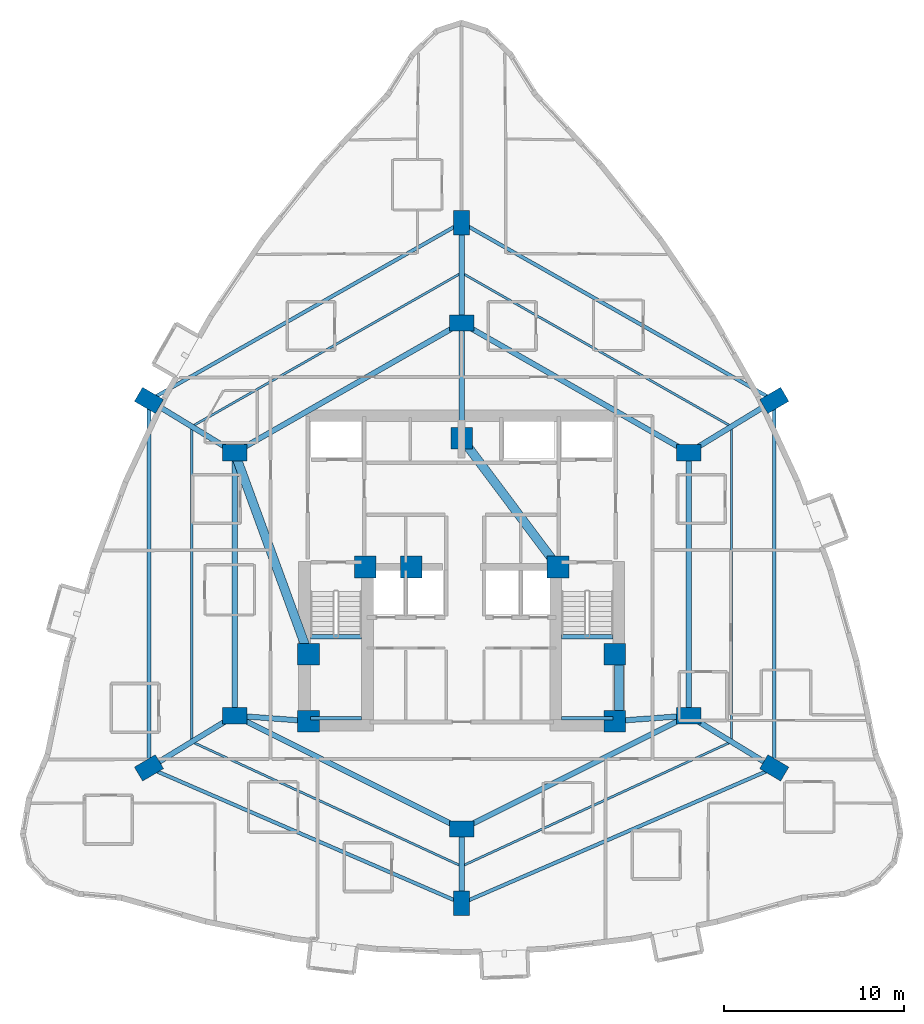
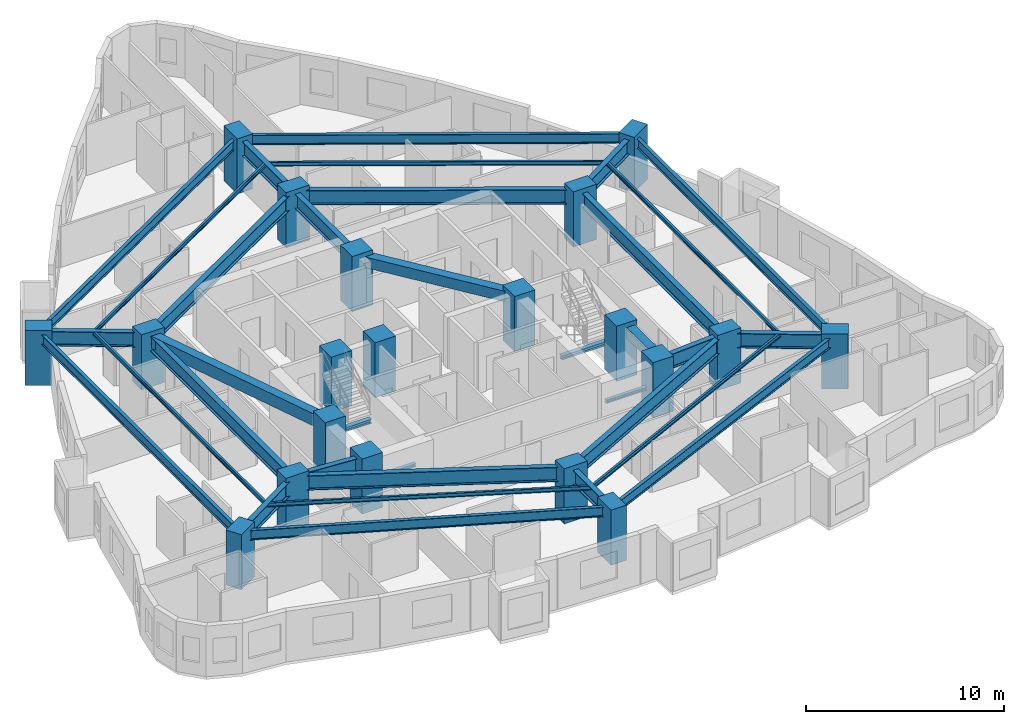
# One storey, part 1 of 13: 34 beams, 20 columns.
"""IFC4 building model written with IfcOpenShell, lengths in metres."""

from ifc_helpers import new_model, si_unit, direction, frame, origin, origin_2d, place, context, subcontext, project, spatial, rectangle, i_section, extrude, material, material_profile, profile_set, type_object, element, save


model = new_model("IFC4")

# Units and contexts
model_context = context("Model", 3, precision=1e-05, world=origin(), true_north=direction((0.0, 1.0)))
body_context = subcontext(model_context, "Body", "Model", "MODEL_VIEW")
ifc_project = project(units=[si_unit("LENGTHUNIT", "METRE"), si_unit("AREAUNIT", "SQUARE_METRE"), si_unit("VOLUMEUNIT", "CUBIC_METRE"), si_unit("PLANEANGLEUNIT", "RADIAN"), si_unit("MASSUNIT", "GRAM", prefix="KILO")], contexts=[model_context])

# Site, building, storey
site_placement = place(None, origin())
site = spatial("IfcSite", under=ifc_project, at=site_placement, CompositionType="ELEMENT")
building_placement = place(site_placement, origin())
building = spatial("IfcBuilding", under=site, at=building_placement, Name="Miruveldt Soraemaru", CompositionType="ELEMENT")
storey_placement = place(building_placement, frame((0.0, 0.0, 70.0)))
storey = spatial("IfcBuildingStorey", under=building, at=storey_placement, Name="L19", CompositionType="ELEMENT", Elevation=70.0)

# Columns
ifc_material_1 = material(Name="Concrete C70/85 (70 MPa)", Category="concrete")
ifc_material_profile_1 = material_profile(ifc_material_1, rectangle(XDim=1.199951171875, YDim=1.199951171875, at=origin_2d()), Name="Concrete C70/85 (70 MPa)", Category="concrete")
ifc_profile_set_1 = profile_set([ifc_material_profile_1], Name="Concrete C70/85 (70 MPa)")
column_type_1 = type_object("IfcColumnType", Name="COL-CORE-1200", PredefinedType="COLUMN", material=ifc_profile_set_1)
for number, where, z_axis, x_axis, name in (
    (1, (35.5, 35.5, 0.0), (0.0, 0.0, 1.0), (1.0, 0.0, 0.0), "L19 Structural Column CC1"),
    (2, (38.64990234375, 44.050048828125, 0.0), (0.0, 0.0, 1.0), (1.0, 0.0, 0.0), "L19 Structural Column CC2"),
    (3, (52.5, 35.5, 0.0), (0.0, 0.0, 1.0), (1.0, 0.0, 0.0), "L19 Structural Column CC3"),
    (4, (52.5, 39.199951171875, 0.0), (0.0, 0.0, 1.0), (1.0, 0.0, 0.0), "L19 Structural Column CC4"),
    (5, (49.35009765625, 44.050048828125, 0.0), (0.0, 0.0, 1.0), (1.0, 0.0, 0.0), "L19 Structural Column CC5"),
    (6, (44.0, 51.199951171875, 0.0), (0.0, 0.0, 1.0), (1.0, 0.0, 0.0), "L19 Structural Column CC6"),
    (7, (35.5, 39.199951171875, 0.0), (0.0, 0.0, 1.0), (1.0, 0.0, 0.0), "L19 Structural Column CC7"),
    (8, (41.199951171875, 44.050048828125, 0.0), (0.0, 0.0, 1.0), (1.0, 0.0, 0.0), "L19 Structural Column CC8"),
):
    element("IfcColumn", number, at=place(storey_placement, frame(where, z_axis=z_axis, x_axis=x_axis)), inside=storey, type_object=column_type_1, Name=name, PredefinedType="COLUMN", context=body_context, shape_type="SweptSolid", body=[
        extrude(rectangle(XDim=1.199951171875, YDim=1.199951171875, at=origin_2d()), origin(), (0.0, 0.0, 1.0), 3.39990234375),
    ])
ifc_material_profile_2 = material_profile(ifc_material_1, rectangle(XDim=1.35009765625, YDim=0.89990234375, at=origin_2d()), Name="Concrete C70/85 (70 MPa)", Category="concrete")
ifc_profile_set_2 = profile_set([ifc_material_profile_2], Name="Concrete C70/85 (70 MPa)")
column_type_2 = type_object("IfcColumnType", Name="COL-TW-Z1B", PredefinedType="COLUMN", material=ifc_profile_set_2)
for number, where, z_axis, x_axis, name in (
    (9, (44.0, 57.60009765625, 0.0), (0.0, 0.0, 1.0), (1.0, 0.0, 0.0), "L19 Structural Column IR01"),
    (10, (56.60009765625, 50.39990234375, 0.0), (0.0, 0.0, 1.0), (1.0, 0.0, 0.0), "L19 Structural Column IR02"),
    (11, (56.60009765625, 35.800048828125, 0.0), (0.0, 0.0, 1.0), (1.0, 0.0, 0.0), "L19 Structural Column IR03"),
    (12, (44.0, 29.5, 0.0), (0.0, 0.0, 1.0), (1.0, 0.0, 0.0), "L19 Structural Column IR04"),
    (13, (31.39990234375, 35.800048828125, 0.0), (0.0, 0.0, 1.0), (1.0, 0.0, 0.0), "L19 Structural Column IR05"),
    (14, (31.39990234375, 50.39990234375, 0.0), (0.0, 0.0, 1.0), (1.0, 0.0, 0.0), "L19 Structural Column IR06"),
    (15, (44.0, 63.16796875, 0.0), (0.0, 0.0, 1.0), (0.0, 1.0, 0.0), "L19 Structural Column Z1P01"),
    (16, (61.35595703125, 53.300048828125, 0.0), (0.0, 0.0, 1.0), (0.864274801954, 0.50301994663, 0.0), "L19 Structural Column Z1P02"),
    (17, (61.35595703125, 32.89990234375, 0.0), (0.0, 0.0, 1.0), (-0.859852271597, 0.510542917912, 0.0), "L19 Structural Column Z1P03"),
    (18, (44.0, 25.382080078125, 0.0), (0.0, 0.0, 1.0), (0.0, 1.0, 0.0), "L19 Structural Column Z1P04"),
    (19, (26.64404296875, 32.89990234375, 0.0), (0.0, 0.0, 1.0), (0.859852271597, 0.510542917912, 0.0), "L19 Structural Column Z1P05"),
    (20, (26.64404296875, 53.300048828125, 0.0), (0.0, 0.0, 1.0), (-0.864274801954, 0.50301994663, 0.0), "L19 Structural Column Z1P06"),
):
    element("IfcColumn", number, at=place(storey_placement, frame(where, z_axis=z_axis, x_axis=x_axis)), inside=storey, type_object=column_type_2, Name=name, PredefinedType="COLUMN", context=body_context, shape_type="SweptSolid", body=[
        extrude(rectangle(XDim=1.35009765625, YDim=0.89990234375, at=origin_2d()), origin(), (0.0, 0.0, 1.0), 3.39990234375),
    ])

# Beams
ifc_material_2 = material(Name="Concrete C50/60 (50 MPa)", Category="concrete")
ifc_material_profile_3 = material_profile(ifc_material_2, rectangle(XDim=0.5, YDim=0.64990234375, at=origin_2d()), Name="Concrete C50/60 (50 MPa)", Category="concrete")
ifc_profile_set_3 = profile_set([ifc_material_profile_3], Name="Concrete C50/60 (50 MPa)")
beam_type_1 = type_object("IfcBeamType", Name="BM-RC-500x650", PredefinedType="BEAM", material=ifc_profile_set_3)
beam_1_placement = place(storey_placement, frame((52.72998046875, 35.5, 2.800048828125), z_axis=(0.0, 1.0, 0.0), x_axis=(-1.0, 0.0, 0.0)))
element("IfcBeam", 21, at=beam_1_placement, inside=storey, type_object=beam_type_1, Name="L19 Core Tie Beam 3", PredefinedType="BEAM", context=body_context, shape_type="SweptSolid", body=[
    extrude(rectangle(XDim=0.5, YDim=0.64990234375, at=origin_2d()), origin(), (0.0, 0.0, 1.0), 3.699951171875),
])
beam_2_placement = place(storey_placement, frame((49.35009765625, 44.050048828125, 2.800048828125), z_axis=(-0.599116023999, 0.800662219533, 0.0), x_axis=(-0.800662219533, -0.599116023999, 0.0)))
element("IfcBeam", 22, at=beam_2_placement, inside=storey, type_object=beam_type_1, Name="L19 Core Tie Beam 5", PredefinedType="BEAM", context=body_context, shape_type="SweptSolid", body=[
    extrude(rectangle(XDim=0.5, YDim=0.64990234375, at=origin_2d()), origin(), (0.0, 0.0, 1.0), 8.929931640625),
])
ifc_material_3 = material(Name="Concrete C40/50 (40 MPa)", Category="concrete")
ifc_material_profile_4 = material_profile(ifc_material_3, rectangle(XDim=0.5, YDim=0.75, at=origin_2d()), Name="Concrete C40/50 (40 MPa)", Category="concrete")
ifc_profile_set_4 = profile_set([ifc_material_profile_4], Name="Concrete C40/50 (40 MPa)")
beam_type_2 = type_object("IfcBeamType", Name="BM-RC-500x750", PredefinedType="LINTEL", material=ifc_profile_set_4)
beam_3_placement = place(storey_placement, frame((31.39990234375, 50.39990234375, 2.75), z_axis=(0.343770424598, -0.939053723262, 0.0), x_axis=(0.939053723262, 0.343770424598, 0.0)))
element("IfcBeam", 23, at=beam_3_placement, inside=storey, type_object=beam_type_2, Name="L19 West Lobby Lintel", PredefinedType="LINTEL", context=body_context, shape_type="SweptSolid", body=[
    extrude(rectangle(XDim=0.5, YDim=0.75, at=origin_2d()), origin(), (0.0, 0.0, 1.0), 11.9267578125),
])
ifc_material_4 = material(Name="Steel SM355 (355 MPa)", Category="steel")
ifc_material_profile_5 = material_profile(ifc_material_4, i_section(OverallWidth=0.125, OverallDepth=0.25, WebThickness=0.006103515625, FlangeThickness=0.009033203125, FilletRadius=0.011962890625, at=origin_2d()), Name="Steel SM355 (355 MPa)", Category="steel")
ifc_profile_set_5 = profile_set([ifc_material_profile_5], Name="Steel SM355 (355 MPa)")
beam_type_3 = type_object("IfcBeamType", Name="BM-ST-H250", PredefinedType="JOIST", material=ifc_profile_set_5)
beam_4_placement = place(storey_placement, frame((44.0, 60.384033203125, 3.0), z_axis=(0.868865604585, -0.495048039254, 0.0), x_axis=(0.495048039254, 0.868865604585, 0.0)))
element("IfcBeam", 24, at=beam_4_placement, inside=storey, type_object=beam_type_3, Name="L19 Outer Bay Floor Joist 1", PredefinedType="JOIST", context=body_context, shape_type="SweptSolid", body=[
    extrude(i_section(OverallWidth=0.125, OverallDepth=0.25, WebThickness=0.006103515625, FlangeThickness=0.009033203125, FilletRadius=0.011962890625, at=origin_2d()), origin(), (0.0, 0.0, 1.0), 17.238525390625),
])
beam_5_placement = place(storey_placement, frame((58.97802734375, 51.85009765625, 3.0), z_axis=(0.0, -1.0, 0.0), x_axis=(1.0, 0.0, 0.0)))
element("IfcBeam", 25, at=beam_5_placement, inside=storey, type_object=beam_type_3, Name="L19 Outer Bay Floor Joist 2", PredefinedType="JOIST", context=body_context, shape_type="SweptSolid", body=[
    extrude(i_section(OverallWidth=0.125, OverallDepth=0.25, WebThickness=0.006103515625, FlangeThickness=0.009033203125, FilletRadius=0.011962890625, at=origin_2d()), origin(), (0.0, 0.0, 1.0), 17.5),
])
for number, where, z_axis, x_axis, name in (
    (26, (58.97802734375, 34.35009765625, 3.0), (-0.908046005539, -0.418870447543, 0.0), (0.418870447543, -0.908046005539, 0.0), "L19 Outer Bay Floor Joist 3"),
    (27, (44.0, 27.44091796875, 3.0), (-0.908046005539, 0.418870447543, 0.0), (-0.418870447543, -0.908046005539, 0.0), "L19 Outer Bay Floor Joist 4"),
):
    element("IfcBeam", number, at=place(storey_placement, frame(where, z_axis=z_axis, x_axis=x_axis)), inside=storey, type_object=beam_type_3, Name=name, PredefinedType="JOIST", context=body_context, shape_type="SweptSolid", body=[
        extrude(i_section(OverallWidth=0.125, OverallDepth=0.25, WebThickness=0.006103515625, FlangeThickness=0.009033203125, FilletRadius=0.011962890625, at=origin_2d()), origin(), (0.0, 0.0, 1.0), 16.494873046875),
    ])
beam_6_placement = place(storey_placement, frame((29.02197265625, 34.35009765625, 3.0), z_axis=(0.0, 1.0, 0.0), x_axis=(-1.0, 0.0, 0.0)))
element("IfcBeam", 28, at=beam_6_placement, inside=storey, type_object=beam_type_3, Name="L19 Outer Bay Floor Joist 5", PredefinedType="JOIST", context=body_context, shape_type="SweptSolid", body=[
    extrude(i_section(OverallWidth=0.125, OverallDepth=0.25, WebThickness=0.006103515625, FlangeThickness=0.009033203125, FilletRadius=0.011962890625, at=origin_2d()), origin(), (0.0, 0.0, 1.0), 17.5),
])
beam_7_placement = place(storey_placement, frame((29.02197265625, 51.85009765625, 3.0), z_axis=(0.868865604585, 0.495048039254, 0.0), x_axis=(-0.495048039254, 0.868865604585, 0.0)))
element("IfcBeam", 29, at=beam_7_placement, inside=storey, type_object=beam_type_3, Name="L19 Outer Bay Floor Joist 6", PredefinedType="JOIST", context=body_context, shape_type="SweptSolid", body=[
    extrude(i_section(OverallWidth=0.125, OverallDepth=0.25, WebThickness=0.006103515625, FlangeThickness=0.009033203125, FilletRadius=0.011962890625, at=origin_2d()), origin(), (0.0, 0.0, 1.0), 17.238525390625),
])
ifc_material_profile_6 = material_profile(ifc_material_4, i_section(OverallWidth=0.199951171875, OverallDepth=0.60009765625, WebThickness=0.010986328125, FlangeThickness=0.01708984375, FilletRadius=0.02197265625, at=origin_2d()), Name="Steel SM355 (355 MPa)", Category="steel")
ifc_profile_set_6 = profile_set([ifc_material_profile_6], Name="Steel SM355 (355 MPa)")
beam_type_4 = type_object("IfcBeamType", Name="BM-ST-H600", PredefinedType="SPANDREL", material=ifc_profile_set_6)
beam_8_placement = place(storey_placement, frame((44.0, 63.16796875, 2.824951171875), z_axis=(0.869314947608, -0.494258557706, 0.0), x_axis=(0.494258557706, 0.869314947608, 0.0)))
element("IfcBeam", 30, at=beam_8_placement, inside=storey, type_object=beam_type_4, Name="L19 Zone-1 Spandrel Beam 1", PredefinedType="SPANDREL", context=body_context, shape_type="SweptSolid", body=[
    extrude(i_section(OverallWidth=0.199951171875, OverallDepth=0.60009765625, WebThickness=0.010986328125, FlangeThickness=0.01708984375, FilletRadius=0.02197265625, at=origin_2d()), origin(), (0.0, 0.0, 1.0), 19.965087890625),
])
beam_9_placement = place(storey_placement, frame((61.35595703125, 53.300048828125, 2.824951171875), z_axis=(0.0, -1.0, 0.0), x_axis=(1.0, 0.0, 0.0)))
element("IfcBeam", 31, at=beam_9_placement, inside=storey, type_object=beam_type_4, Name="L19 Zone-1 Spandrel Beam 2", PredefinedType="SPANDREL", context=body_context, shape_type="SweptSolid", body=[
    extrude(i_section(OverallWidth=0.199951171875, OverallDepth=0.60009765625, WebThickness=0.010986328125, FlangeThickness=0.01708984375, FilletRadius=0.02197265625, at=origin_2d()), origin(), (0.0, 0.0, 1.0), 20.400146484375),
])
for number, where, z_axis, x_axis, name in (
    (32, (61.35595703125, 32.89990234375, 2.824951171875), (-0.917615263736, -0.397469782195, 0.0), (0.397469782195, -0.917615263736, 0.0), "L19 Zone-1 Spandrel Beam 3"),
    (33, (44.0, 25.382080078125, 2.824951171875), (-0.917615263736, 0.397469782195, 0.0), (-0.397469782195, -0.917615263736, 0.0), "L19 Zone-1 Spandrel Beam 4"),
):
    element("IfcBeam", number, at=place(storey_placement, frame(where, z_axis=z_axis, x_axis=x_axis)), inside=storey, type_object=beam_type_4, Name=name, PredefinedType="SPANDREL", context=body_context, shape_type="SweptSolid", body=[
        extrude(i_section(OverallWidth=0.199951171875, OverallDepth=0.60009765625, WebThickness=0.010986328125, FlangeThickness=0.01708984375, FilletRadius=0.02197265625, at=origin_2d()), origin(), (0.0, 0.0, 1.0), 18.914306640625),
    ])
beam_10_placement = place(storey_placement, frame((26.64404296875, 32.89990234375, 2.824951171875), z_axis=(0.0, 1.0, 0.0), x_axis=(-1.0, 0.0, 0.0)))
element("IfcBeam", 34, at=beam_10_placement, inside=storey, type_object=beam_type_4, Name="L19 Zone-1 Spandrel Beam 5", PredefinedType="SPANDREL", context=body_context, shape_type="SweptSolid", body=[
    extrude(i_section(OverallWidth=0.199951171875, OverallDepth=0.60009765625, WebThickness=0.010986328125, FlangeThickness=0.01708984375, FilletRadius=0.02197265625, at=origin_2d()), origin(), (0.0, 0.0, 1.0), 20.400146484375),
])
beam_11_placement = place(storey_placement, frame((26.64404296875, 53.300048828125, 2.824951171875), z_axis=(0.869314947608, 0.494258557706, 0.0), x_axis=(-0.494258557706, 0.869314947608, 0.0)))
element("IfcBeam", 35, at=beam_11_placement, inside=storey, type_object=beam_type_4, Name="L19 Zone-1 Spandrel Beam 6", PredefinedType="SPANDREL", context=body_context, shape_type="SweptSolid", body=[
    extrude(i_section(OverallWidth=0.199951171875, OverallDepth=0.60009765625, WebThickness=0.010986328125, FlangeThickness=0.01708984375, FilletRadius=0.02197265625, at=origin_2d()), origin(), (0.0, 0.0, 1.0), 19.965087890625),
])
ifc_material_5 = material(Name="Steel S460 (460 MPa)", Category="steel")
ifc_material_profile_7 = material_profile(ifc_material_5, i_section(OverallWidth=0.300048828125, OverallDepth=0.89990234375, WebThickness=0.01611328125, FlangeThickness=0.028076171875, FilletRadius=0.028076171875, at=origin_2d()), Name="Steel S460 (460 MPa)", Category="steel")
ifc_profile_set_7 = profile_set([ifc_material_profile_7], Name="Steel S460 (460 MPa)")
beam_type_5 = type_object("IfcBeamType", Name="BM-ST-H900", PredefinedType="BEAM", material=ifc_profile_set_7)
beam_12_placement = place(storey_placement, frame((44.0, 57.60009765625, 2.675048828125), z_axis=(0.868239001029, -0.496146185203, 0.0), x_axis=(0.496146185203, 0.868239001029, 0.0)))
element("IfcBeam", 36, at=beam_12_placement, inside=storey, type_object=beam_type_5, Name="L19 Inner Ring Girder 1", PredefinedType="BEAM", context=body_context, shape_type="SweptSolid", body=[
    extrude(i_section(OverallWidth=0.300048828125, OverallDepth=0.89990234375, WebThickness=0.01611328125, FlangeThickness=0.028076171875, FilletRadius=0.028076171875, at=origin_2d()), origin(), (0.0, 0.0, 1.0), 14.51220703125),
])
beam_13_placement = place(storey_placement, frame((44.0, 51.199951171875, 2.675048828125), z_axis=(0.0, 1.0, 0.0), x_axis=(-1.0, 0.0, 0.0)))
element("IfcBeam", 37, at=beam_13_placement, inside=storey, type_object=beam_type_5, Name="L19 Core-to-Inner Radial Girder 1", PredefinedType="BEAM", context=body_context, shape_type="SweptSolid", body=[
    extrude(i_section(OverallWidth=0.300048828125, OverallDepth=0.89990234375, WebThickness=0.01611328125, FlangeThickness=0.028076171875, FilletRadius=0.028076171875, at=origin_2d()), origin(), (0.0, 0.0, 1.0), 6.400146484375),
])
beam_14_placement = place(storey_placement, frame((56.60009765625, 50.39990234375, 2.675048828125), z_axis=(0.0, -1.0, 0.0), x_axis=(1.0, 0.0, 0.0)))
element("IfcBeam", 38, at=beam_14_placement, inside=storey, type_object=beam_type_5, Name="L19 Inner Ring Girder 2", PredefinedType="BEAM", context=body_context, shape_type="SweptSolid", body=[
    extrude(i_section(OverallWidth=0.300048828125, OverallDepth=0.89990234375, WebThickness=0.01611328125, FlangeThickness=0.028076171875, FilletRadius=0.028076171875, at=origin_2d()), origin(), (0.0, 0.0, 1.0), 14.599853515625),
])
beam_15_placement = place(storey_placement, frame((56.60009765625, 35.800048828125, 2.675048828125), z_axis=(-0.894427191, -0.4472135955, 0.0), x_axis=(0.4472135955, -0.894427191, 0.0)))
element("IfcBeam", 39, at=beam_15_placement, inside=storey, type_object=beam_type_5, Name="L19 Inner Ring Girder 3", PredefinedType="BEAM", context=body_context, shape_type="SweptSolid", body=[
    extrude(i_section(OverallWidth=0.300048828125, OverallDepth=0.89990234375, WebThickness=0.01611328125, FlangeThickness=0.028076171875, FilletRadius=0.028076171875, at=origin_2d()), origin(), (0.0, 0.0, 1.0), 14.08740234375),
])
beam_16_placement = place(storey_placement, frame((52.5, 35.5, 2.675048828125), z_axis=(0.997332985605, 0.072985723431, 0.0), x_axis=(-0.072985723431, 0.997332985605, 0.0)))
element("IfcBeam", 40, at=beam_16_placement, inside=storey, type_object=beam_type_5, Name="L19 Core-to-Inner Radial Girder 3", PredefinedType="BEAM", context=body_context, shape_type="SweptSolid", body=[
    extrude(i_section(OverallWidth=0.300048828125, OverallDepth=0.89990234375, WebThickness=0.01611328125, FlangeThickness=0.028076171875, FilletRadius=0.028076171875, at=origin_2d()), origin(), (0.0, 0.0, 1.0), 4.111083984375),
])
beam_17_placement = place(storey_placement, frame((44.0, 29.5, 2.675048828125), z_axis=(-0.894427191, 0.4472135955, 0.0), x_axis=(-0.4472135955, -0.894427191, 0.0)))
element("IfcBeam", 41, at=beam_17_placement, inside=storey, type_object=beam_type_5, Name="L19 Inner Ring Girder 4", PredefinedType="BEAM", context=body_context, shape_type="SweptSolid", body=[
    extrude(i_section(OverallWidth=0.300048828125, OverallDepth=0.89990234375, WebThickness=0.01611328125, FlangeThickness=0.028076171875, FilletRadius=0.028076171875, at=origin_2d()), origin(), (0.0, 0.0, 1.0), 14.08740234375),
])
beam_18_placement = place(storey_placement, frame((31.39990234375, 35.800048828125, 2.675048828125), z_axis=(0.0, 1.0, 0.0), x_axis=(-1.0, 0.0, 0.0)))
element("IfcBeam", 42, at=beam_18_placement, inside=storey, type_object=beam_type_5, Name="L19 Inner Ring Girder 5", PredefinedType="BEAM", context=body_context, shape_type="SweptSolid", body=[
    extrude(i_section(OverallWidth=0.300048828125, OverallDepth=0.89990234375, WebThickness=0.01611328125, FlangeThickness=0.028076171875, FilletRadius=0.028076171875, at=origin_2d()), origin(), (0.0, 0.0, 1.0), 14.599853515625),
])
beam_19_placement = place(storey_placement, frame((35.5, 35.5, 2.675048828125), z_axis=(-0.997332985605, 0.072985723431, 0.0), x_axis=(-0.072985723431, -0.997332985605, 0.0)))
element("IfcBeam", 43, at=beam_19_placement, inside=storey, type_object=beam_type_5, Name="L19 Core-to-Inner Radial Girder 5", PredefinedType="BEAM", context=body_context, shape_type="SweptSolid", body=[
    extrude(i_section(OverallWidth=0.300048828125, OverallDepth=0.89990234375, WebThickness=0.01611328125, FlangeThickness=0.028076171875, FilletRadius=0.028076171875, at=origin_2d()), origin(), (0.0, 0.0, 1.0), 4.111083984375),
])
beam_20_placement = place(storey_placement, frame((31.39990234375, 50.39990234375, 2.675048828125), z_axis=(0.868239001029, 0.496146185203, 0.0), x_axis=(-0.496146185203, 0.868239001029, 0.0)))
element("IfcBeam", 44, at=beam_20_placement, inside=storey, type_object=beam_type_5, Name="L19 Inner Ring Girder 6", PredefinedType="BEAM", context=body_context, shape_type="SweptSolid", body=[
    extrude(i_section(OverallWidth=0.300048828125, OverallDepth=0.89990234375, WebThickness=0.01611328125, FlangeThickness=0.028076171875, FilletRadius=0.028076171875, at=origin_2d()), origin(), (0.0, 0.0, 1.0), 14.51220703125),
])
beam_21_placement = place(storey_placement, frame((44.0, 57.60009765625, 2.675048828125), z_axis=(0.0, 1.0, 0.0), x_axis=(-1.0, 0.0, 0.0)))
element("IfcBeam", 45, at=beam_21_placement, inside=storey, type_object=beam_type_5, Name="L19 Zone-1 Radial Girder 1", PredefinedType="BEAM", context=body_context, shape_type="SweptSolid", body=[
    extrude(i_section(OverallWidth=0.300048828125, OverallDepth=0.89990234375, WebThickness=0.01611328125, FlangeThickness=0.028076171875, FilletRadius=0.028076171875, at=origin_2d()), origin(), (0.0, 0.0, 1.0), 5.56787109375),
])
for number, where, z_axis, x_axis, name in (
    (46, (56.60009765625, 50.39990234375, 2.675048828125), (0.853777644156, 0.520637814935, 0.0), (-0.520637814935, 0.853777644156, 0.0), "L19 Zone-1 Radial Girder 2"),
    (47, (56.60009765625, 35.800048828125, 2.675048828125), (0.853777644156, -0.520637814935, 0.0), (0.520637814935, 0.853777644156, 0.0), "L19 Zone-1 Radial Girder 3"),
):
    element("IfcBeam", number, at=place(storey_placement, frame(where, z_axis=z_axis, x_axis=x_axis)), inside=storey, type_object=beam_type_5, Name=name, PredefinedType="BEAM", context=body_context, shape_type="SweptSolid", body=[
        extrude(i_section(OverallWidth=0.300048828125, OverallDepth=0.89990234375, WebThickness=0.01611328125, FlangeThickness=0.028076171875, FilletRadius=0.028076171875, at=origin_2d()), origin(), (0.0, 0.0, 1.0), 5.5703125),
    ])
beam_22_placement = place(storey_placement, frame((44.0, 29.5, 2.675048828125), z_axis=(0.0, -1.0, 0.0), x_axis=(1.0, 0.0, 0.0)))
element("IfcBeam", 48, at=beam_22_placement, inside=storey, type_object=beam_type_5, Name="L19 Zone-1 Radial Girder 4", PredefinedType="BEAM", context=body_context, shape_type="SweptSolid", body=[
    extrude(i_section(OverallWidth=0.300048828125, OverallDepth=0.89990234375, WebThickness=0.01611328125, FlangeThickness=0.028076171875, FilletRadius=0.028076171875, at=origin_2d()), origin(), (0.0, 0.0, 1.0), 4.117919921875),
])
for number, where, z_axis, x_axis, name in (
    (49, (31.39990234375, 35.800048828125, 2.675048828125), (-0.853777644156, -0.520637814935, 0.0), (0.520637814935, -0.853777644156, 0.0), "L19 Zone-1 Radial Girder 5"),
    (50, (31.39990234375, 50.39990234375, 2.675048828125), (-0.853777644156, 0.520637814935, 0.0), (-0.520637814935, -0.853777644156, 0.0), "L19 Zone-1 Radial Girder 6"),
):
    element("IfcBeam", number, at=place(storey_placement, frame(where, z_axis=z_axis, x_axis=x_axis)), inside=storey, type_object=beam_type_5, Name=name, PredefinedType="BEAM", context=body_context, shape_type="SweptSolid", body=[
        extrude(i_section(OverallWidth=0.300048828125, OverallDepth=0.89990234375, WebThickness=0.01611328125, FlangeThickness=0.028076171875, FilletRadius=0.028076171875, at=origin_2d()), origin(), (0.0, 0.0, 1.0), 5.5703125),
    ])
ifc_material_profile_8 = material_profile(ifc_material_4, i_section(OverallWidth=0.199951171875, OverallDepth=0.199951171875, WebThickness=0.008056640625, FlangeThickness=0.011962890625, FilletRadius=0.012939453125, at=origin_2d()), Name="Steel SM355 (355 MPa)", Category="steel")
ifc_profile_set_8 = profile_set([ifc_material_profile_8], Name="Steel SM355 (355 MPa)")
beam_type_6 = type_object("IfcBeamType", Name="BM-ST-LND200", PredefinedType="BEAM", material=ifc_profile_set_8)
for number, where, z_axis, x_axis, name in (
    (51, (35.60009765625, 35.64990234375, 1.39990234375), (1.0, 0.0, 0.0), (0.0, 1.0, 0.0), "L19 ST1 Landing End Beam 1B"),
    (52, (49.550048828125, 35.64990234375, 1.39990234375), (1.0, 0.0, 0.0), (0.0, 1.0, 0.0), "L19 ST2 Landing End Beam 1B"),
):
    element("IfcBeam", number, at=place(storey_placement, frame(where, z_axis=z_axis, x_axis=x_axis)), inside=storey, type_object=beam_type_6, Name=name, PredefinedType="BEAM", context=body_context, shape_type="SweptSolid", body=[
        extrude(i_section(OverallWidth=0.199951171875, OverallDepth=0.199951171875, WebThickness=0.008056640625, FlangeThickness=0.011962890625, FilletRadius=0.012939453125, at=origin_2d()), origin(), (0.0, 0.0, 1.0), 2.849853515625),
    ])
ifc_material_profile_9 = material_profile(ifc_material_4, i_section(OverallWidth=0.25, OverallDepth=0.25, WebThickness=0.009033203125, FlangeThickness=0.013916015625, FilletRadius=0.01611328125, at=origin_2d()), Name="Steel SM355 (355 MPa)", Category="steel")
ifc_profile_set_9 = profile_set([ifc_material_profile_9], Name="Steel SM355 (355 MPa)")
beam_type_7 = type_object("IfcBeamType", Name="BM-ST-LND250", PredefinedType="BEAM", material=ifc_profile_set_9)
for number, where, z_axis, x_axis, name in (
    (53, (35.60009765625, 40.179931640625, 1.375), (1.0, 0.0, 0.0), (0.0, 1.0, 0.0), "L19 ST1 Landing Support Beam 1A"),
    (54, (49.550048828125, 40.179931640625, 1.375), (1.0, 0.0, 0.0), (0.0, 1.0, 0.0), "L19 ST2 Landing Support Beam 1A"),
):
    element("IfcBeam", number, at=place(storey_placement, frame(where, z_axis=z_axis, x_axis=x_axis)), inside=storey, type_object=beam_type_7, Name=name, PredefinedType="BEAM", context=body_context, shape_type="SweptSolid", body=[
        extrude(i_section(OverallWidth=0.25, OverallDepth=0.25, WebThickness=0.009033203125, FlangeThickness=0.013916015625, FilletRadius=0.01611328125, at=origin_2d()), origin(), (0.0, 0.0, 1.0), 2.849853515625),
    ])

save(model, "model.ifc")
